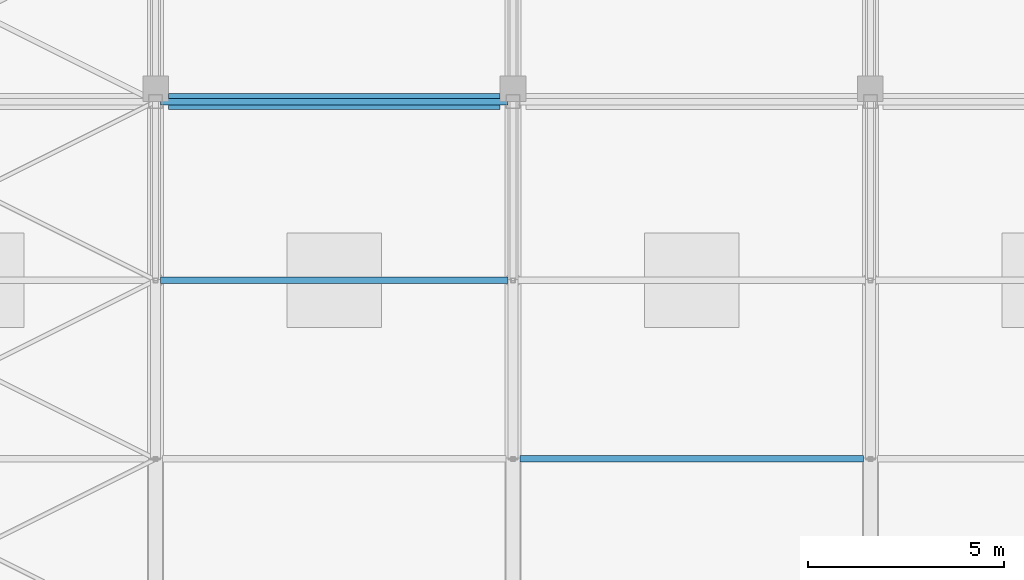
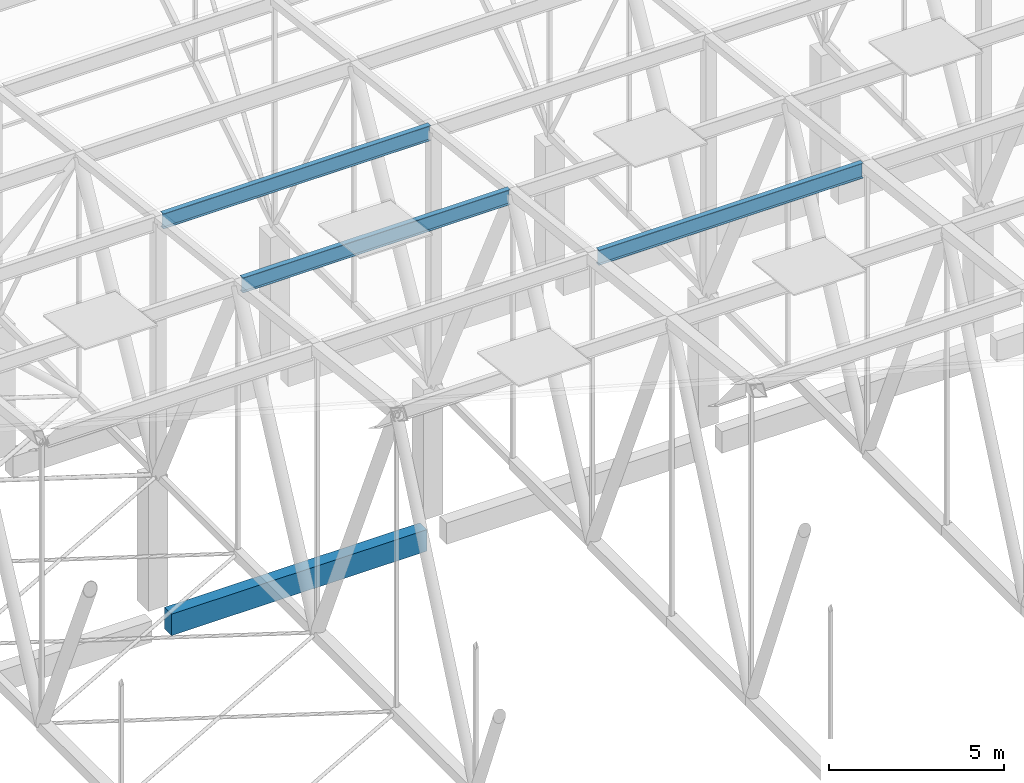
# One storey, part 296 of 500: 3 members, 1 beam.
"""IFC4 building model written with IfcOpenShell, lengths in metres."""

from ifc_helpers import new_model, si_unit, direction, frame, origin, origin_2d, place, context, subcontext, project, spatial, rectangle, i_section, extrude, material, material_profile, profile_set, type_object, element, save


model = new_model("IFC4")

# Units and contexts
model_context = context("Model", 3, precision=1e-05, world=origin(), true_north=direction((0.0, 1.0)))
body_context = subcontext(model_context, "Body", "Model", "MODEL_VIEW")
ifc_project = project(units=[si_unit("LENGTHUNIT", "METRE"), si_unit("AREAUNIT", "SQUARE_METRE"), si_unit("VOLUMEUNIT", "CUBIC_METRE"), si_unit("PLANEANGLEUNIT", "RADIAN"), si_unit("MASSUNIT", "GRAM", prefix="KILO")], contexts=[model_context])

# Site, building, storey
site_placement = place(None, origin())
site = spatial("IfcSite", under=ifc_project, at=site_placement, CompositionType="ELEMENT")
building_placement = place(site_placement, origin())
building = spatial("IfcBuilding", under=site, at=building_placement, Name="Shirokan Park Arena", CompositionType="ELEMENT")
storey_placement = place(building_placement, frame((0.0, 0.0, 29.1201171875)))
storey = spatial("IfcBuildingStorey", under=building, at=storey_placement, Name="L06", CompositionType="ELEMENT", Elevation=29.1201171875)

# Members
ifc_material_1 = material(Name="Steel ASTM A992", Category="steel")
ifc_material_profile_1 = material_profile(ifc_material_1, i_section(OverallWidth=0.166015625, OverallDepth=0.528076171875, WebThickness=0.009765625, FlangeThickness=0.013671875, at=origin_2d()), Name="W530X74")
ifc_profile_set_1 = profile_set([ifc_material_profile_1], Name="Steel ASTM A992")
member_type = type_object("IfcMemberType", Name="Purlin W530X74", PredefinedType="PURLIN", material=ifc_profile_set_1)
member_placement = place(storey_placement, frame((63.8779296875, 91.0, 14.56591796875), z_axis=(1.0, 0.0, 0.0), x_axis=(0.0, 1.0, 0.0)))
element("IfcMember", 1, at=member_placement, inside=storey, type_object=member_type, Name="Purlin 23 bay 8", PredefinedType="PURLIN", context=body_context, shape_type="SweptSolid", body=[
    extrude(i_section(OverallWidth=0.166015625, OverallDepth=0.528076171875, WebThickness=0.009765625, FlangeThickness=0.013671875, at=origin_2d()), origin(), (0.0, 0.0, 1.0), 8.744140625),
])
for number, where, z_axis, x_axis, name in (
    (2, (54.72705078125, 95.550048828125, 14.0458984375), (1.0, 0.0, 0.0), (0.0, 1.0, 0.0), "Purlin 24 bay 7"),
    (3, (54.72705078125, 100.10009765625, 13.52587890625), (1.0, 0.0, 0.0), (0.0, 1.0, 0.0), "Purlin 25 bay 7"),
):
    element("IfcMember", number, at=place(storey_placement, frame(where, z_axis=z_axis, x_axis=x_axis)), inside=storey, type_object=member_type, Name=name, PredefinedType="PURLIN", context=body_context, shape_type="SweptSolid", body=[
        extrude(i_section(OverallWidth=0.166015625, OverallDepth=0.528076171875, WebThickness=0.009765625, FlangeThickness=0.013671875, at=origin_2d()), origin(), (0.0, 0.0, 1.0), 8.845947265625),
    ])

# Beam
ifc_material_2 = material(Name="Concrete C35", Category="concrete")
ifc_material_profile_2 = material_profile(ifc_material_2, rectangle(XDim=0.39990234375, YDim=0.75, at=origin_2d()), Name="400x750")
ifc_profile_set_2 = profile_set([ifc_material_profile_2], Name="Concrete C35")
beam_type = type_object("IfcBeamType", Name="RC girder 400x750", PredefinedType="BEAM", material=ifc_profile_set_2)
beam_placement = place(storey_placement, frame((54.925048828125, 100.10009765625, -0.5751953125), z_axis=(1.0, 0.0, 0.0), x_axis=(0.0, 1.0, 0.0)))
element("IfcBeam", 4, at=beam_placement, inside=storey, type_object=beam_type, Name="Girder 7M-8M L06", PredefinedType="BEAM", context=body_context, shape_type="SweptSolid", body=[
    extrude(rectangle(XDim=0.39990234375, YDim=0.75, at=origin_2d()), origin(), (0.0, 0.0, 1.0), 8.449951171875),
])

save(model, "model.ifc")
